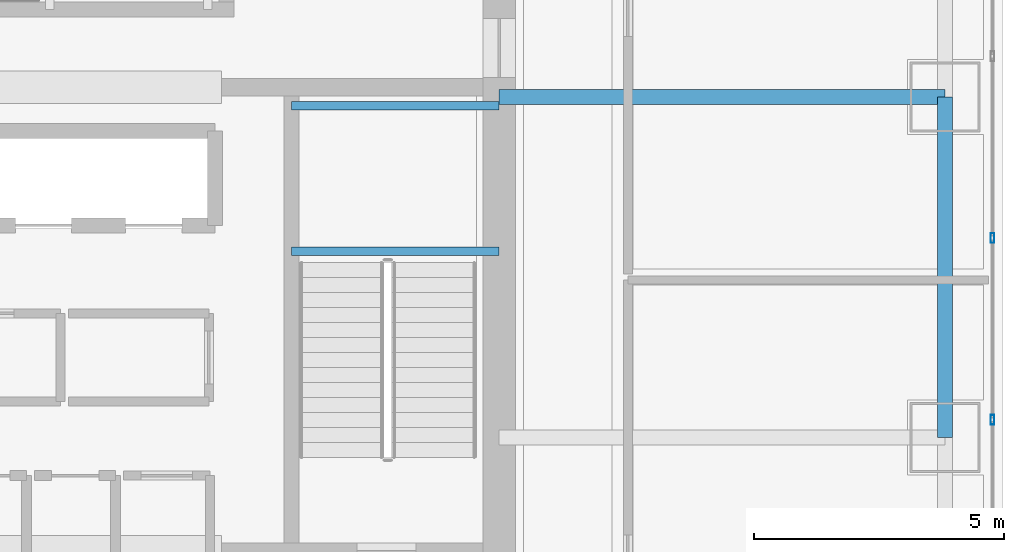
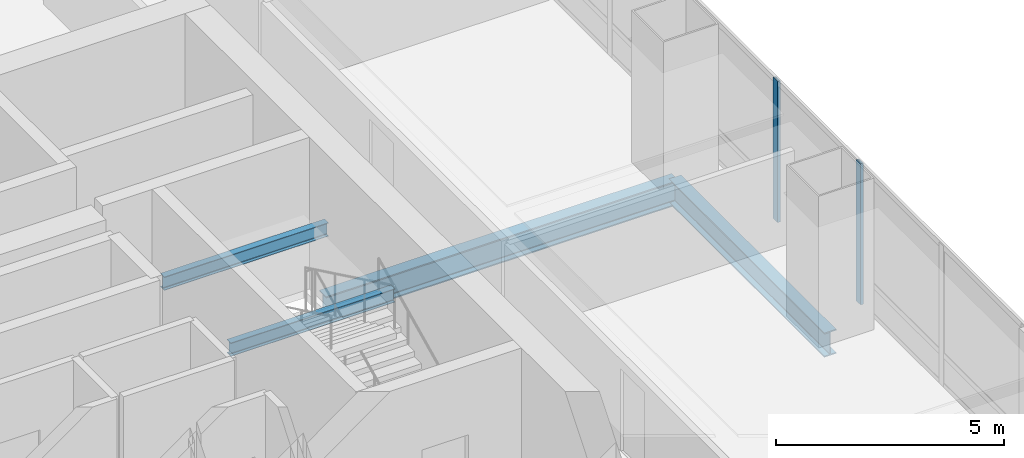
# One storey, part 17 of 47: 4 beams, 2 members, 1 element without a shape of its own.
"""IFC4 building model written with IfcOpenShell, lengths in metres."""

import ifcopenshell
import ifcopenshell.guid

model = None  # the IFC model being written
_history = None  # IfcOwnerHistory: only IFC2X3 demands one
_inside = {}  # id of a spatial element -> (the spatial element, [elements in it])
_under = {}  # id of a project, library or spatial element -> (it, [spatial elements below it])
_declared = {}  # id of a project -> (the project, [libraries it declares])
_typed = {}  # id of a type object -> (the type object, [elements of that type])
_made_of = {}  # id of a material, layer set ... -> (it, [elements and type objects made of it])


def new_model(schema):
    """Start an empty IFC model of exactly this schema.

    Asked for "IFC4X3", IfcOpenShell would pick the latest addendum, in which some entities
    have other attributes; the version numbers below select the first issue.
    IFC2X3 requires an IfcOwnerHistory on every rooted entity: one is made here for all.
    """
    global model, _history
    if schema == "IFC4X3":
        model = ifcopenshell.file(schema_version=(4, 3, 0, 0))
    else:
        model = ifcopenshell.file(schema=schema)
    _inside.clear()
    _under.clear()
    _declared.clear()
    _typed.clear()
    _made_of.clear()
    _history = None
    if model.schema == "IFC2X3":
        org = make("IfcOrganization", Name="unknown")
        user = make(
            "IfcPersonAndOrganization",
            ThePerson=make("IfcPerson", FamilyName="unknown"),
            TheOrganization=org,
        )
        app = make(
            "IfcApplication",
            ApplicationDeveloper=org,
            Version="unknown",
            ApplicationFullName="unknown",
            ApplicationIdentifier="unknown",
        )
        _history = make(
            "IfcOwnerHistory",
            OwningUser=user,
            OwningApplication=app,
            ChangeAction="ADDED",
            CreationDate=0,
        )
    return model


def make(cls, **values):
    """One entity of the class cls with the attributes given. An attribute that is None is left unset."""
    return model.create_entity(
        cls, **{name: value for name, value in values.items() if value is not None}
    )


def rooted(cls, **values):
    """An entity with a GlobalId (a new one), such as an element, a storey or a relation."""
    return make(cls, GlobalId=ifcopenshell.guid.new(), OwnerHistory=_history, **values)


def si_unit(unit_type, name, prefix=None):
    """IfcSIUnit, for example si_unit("LENGTHUNIT", "METRE", prefix="MILLI")."""
    return make("IfcSIUnit", UnitType=unit_type, Prefix=prefix, Name=name)


def assignment(units):
    """IfcUnitAssignment: the units of a project."""
    return None if units is None else make("IfcUnitAssignment", Units=units)


def point(xyz):
    """IfcCartesianPoint."""
    return None if xyz is None else make("IfcCartesianPoint", Coordinates=xyz)


def direction(xyz):
    """IfcDirection."""
    return None if xyz is None else make("IfcDirection", DirectionRatios=xyz)


def frame(location, z_axis=None, x_axis=None):
    """IfcAxis2Placement3D, a coordinate frame: its origin and axes. An axis left out is left unset."""
    return make(
        "IfcAxis2Placement3D",
        Location=point(location),
        Axis=direction(z_axis),
        RefDirection=direction(x_axis),
    )


def frame_2d(location, x_axis=None):
    """IfcAxis2Placement2D, a coordinate frame in the plane: its origin and x axis."""
    return make(
        "IfcAxis2Placement2D", Location=point(location), RefDirection=direction(x_axis)
    )


def origin():
    """The frame at (0, 0, 0) with its axes left unset."""
    return frame((0.0, 0.0, 0.0))


def origin_2d():
    """The frame at (0, 0) in the plane with its x axis left unset."""
    return frame_2d((0.0, 0.0))


def place(relative_to, where):
    """IfcLocalPlacement: puts the frame where relative to a parent placement (None: the world)."""
    return make(
        "IfcLocalPlacement", PlacementRelTo=relative_to, RelativePlacement=where
    )


def context(
    kind, dimensions, precision=None, world=None, true_north=None, identifier=None
):
    """IfcGeometricRepresentationContext, for example the 3D "Model" context."""
    return make(
        "IfcGeometricRepresentationContext",
        ContextIdentifier=identifier,
        ContextType=kind,
        CoordinateSpaceDimension=dimensions,
        Precision=precision,
        WorldCoordinateSystem=world,
        TrueNorth=true_north,
    )


def subcontext(parent, identifier, kind, view, scale=None):
    """IfcGeometricRepresentationSubContext, for example "Body" below "Model"."""
    return make(
        "IfcGeometricRepresentationSubContext",
        ContextIdentifier=identifier,
        ContextType=kind,
        ParentContext=parent,
        TargetScale=scale,
        TargetView=view,
    )


def project(units=None, contexts=None):
    """IfcProject with its units and contexts."""
    return rooted(
        "IfcProject",
        Name="project",
        RepresentationContexts=contexts,
        UnitsInContext=assignment(units),
    )


def spatial(cls, under=None, at=None, **own):
    """A site, building, storey or space (cls), placed at a placement, below another one or the project."""
    s = rooted(cls, ObjectPlacement=at, **own)
    if under is not None:
        _under.setdefault(under.id(), (under, []))[1].append(s)
    return s


def profile(cls, at=None, kind="AREA", **sizes):
    """A parametric profile (cls). Its sizes go by their IFC names, for example OverallWidth=200.0."""
    return make(cls, ProfileType=kind, Position=at, **sizes)


def hollow_rectangle(**sizes):
    """IfcRectangleHollowProfileDef."""
    return profile("IfcRectangleHollowProfileDef", **sizes)


def i_section(**sizes):
    """IfcIShapeProfileDef."""
    return profile("IfcIShapeProfileDef", **sizes)


def extrude(swept, where, along, depth):
    """IfcExtrudedAreaSolid: the profile swept, set in the frame where, extruded along a direction by depth."""
    return make(
        "IfcExtrudedAreaSolid",
        SweptArea=swept,
        Position=where,
        ExtrudedDirection=direction(along),
        Depth=depth,
    )


def shape(context_of_items, identifier, shape_type, items):
    """IfcShapeRepresentation: the items that make up one representation, for example the "Body"."""
    return make(
        "IfcShapeRepresentation",
        ContextOfItems=context_of_items,
        RepresentationIdentifier=identifier,
        RepresentationType=shape_type,
        Items=items,
    )


def material(Name=None, Category=None):
    """IfcMaterial."""
    return make("IfcMaterial", Name=Name, Category=Category)


def material_profile(
    of_material, cross_section, Name=None, Category=None, Priority=None
):
    """IfcMaterialProfile: a cross section and its material."""
    return make(
        "IfcMaterialProfile",
        Name=Name,
        Material=of_material,
        Profile=cross_section,
        Priority=Priority,
        Category=Category,
    )


def profile_set(profiles, Name=None, composite=None):
    """IfcMaterialProfileSet."""
    return make(
        "IfcMaterialProfileSet",
        Name=Name,
        MaterialProfiles=profiles,
        CompositeProfile=composite,
    )


def made_of(thing, what):
    """Note that an element or type object is made of a material, layer set ...; save() writes the relation."""
    if what is not None:
        _made_of.setdefault(what.id(), (what, []))[1].append(thing)
    return thing


def type_object(cls, material=None, **own):
    """A type object (cls), such as IfcWallType, which elements share."""
    return made_of(rooted(cls, **own), material)


def element(
    cls,
    number,
    at=None,
    inside=None,
    cuts=None,
    type_object=None,
    material=None,
    context=None,
    identifier="Body",
    shape_type=None,
    held_by="IfcProductDefinitionShape",
    body=None,
    shapes=None,
    **own,
):
    """One element of the class cls, such as IfcWall. Its Tag is "e" and its number.

    at: its placement. inside: the storey or other place that contains it. cuts: it is an
    opening in that element (IfcRelVoidsElement). A single representation is given by context,
    identifier, shape_type and body (its items); several are given by shapes. held_by: the class
    of the entity that holds the representations. save() writes the other relations.
    """
    e = rooted(cls, Tag="e%d" % number, ObjectPlacement=at, **own)
    if body is not None:
        shapes = [shape(context, identifier, shape_type, body)]
    if shapes is not None:
        e.Representation = make(held_by, Representations=shapes)
    if inside is not None:
        _inside.setdefault(inside.id(), (inside, []))[1].append(e)
    if cuts is not None:
        rooted(
            "IfcRelVoidsElement", RelatingBuildingElement=cuts, RelatedOpeningElement=e
        )
    if type_object is not None:
        _typed.setdefault(type_object.id(), (type_object, []))[1].append(e)
    return made_of(e, material)


def aggregate(whole, parts):
    """IfcRelAggregates: a whole, such as a stair, and the parts it consists of."""
    return rooted("IfcRelAggregates", RelatingObject=whole, RelatedObjects=parts)


def save(model, path):
    """Write the relations noted so far, then the file.

    IfcRelAggregates (storeys below a building ...), IfcRelContainedInSpatialStructure (elements
    in a storey), IfcRelDefinesByType, IfcRelAssociatesMaterial and IfcRelDeclares: one each for
    every whole, place, type object, material and project.
    """
    for whole, parts in _under.values():
        aggregate(whole, parts)
    for where, things in _inside.values():
        rooted(
            "IfcRelContainedInSpatialStructure",
            RelatedElements=things,
            RelatingStructure=where,
        )
    for kind, things in _typed.values():
        rooted("IfcRelDefinesByType", RelatedObjects=things, RelatingType=kind)
    for what, things in _made_of.values():
        rooted("IfcRelAssociatesMaterial", RelatedObjects=things, RelatingMaterial=what)
    for by, libraries in _declared.values():
        rooted("IfcRelDeclares", RelatingContext=by, RelatedDefinitions=libraries)
    model.write(path)


model = new_model("IFC4")

# Units and contexts
model_context = context("Model", 3, precision=1e-05, world=origin(), true_north=direction((0.0, 1.0)))
body_context = subcontext(model_context, "Body", "Model", "MODEL_VIEW")
ifc_project = project(units=[si_unit("LENGTHUNIT", "METRE"), si_unit("AREAUNIT", "SQUARE_METRE"), si_unit("VOLUMEUNIT", "CUBIC_METRE"), si_unit("PLANEANGLEUNIT", "RADIAN"), si_unit("MASSUNIT", "GRAM", prefix="KILO")], contexts=[model_context])

# Site, building, storey
site_placement = place(None, origin())
site = spatial("IfcSite", under=ifc_project, at=site_placement, CompositionType="ELEMENT")
building_placement = place(site_placement, origin())
building = spatial("IfcBuilding", under=site, at=building_placement, Name="Punatoya Terracotta Tower", CompositionType="ELEMENT")
storey_placement = place(building_placement, frame((0.0, 0.0, 168.14990234375)))
storey = spatial("IfcBuildingStorey", under=building, at=storey_placement, Name="L39", CompositionType="ELEMENT", Elevation=168.14990234375)

# Beams
ifc_material_1 = material(Name="Steel S355", Category="steel")
ifc_material_profile_1 = material_profile(ifc_material_1, i_section(OverallWidth=0.300048828125, OverallDepth=0.64990234375, WebThickness=0.01611328125, FlangeThickness=0.031005859375, FilletRadius=0.01806640625, at=origin_2d()))
ifc_profile_set_1 = profile_set([ifc_material_profile_1], Name="Steel S355")
beam_type_1 = type_object("IfcBeamType", Name="BM-PRI-650", PredefinedType="BEAM", material=ifc_profile_set_1)
beam_1_placement = place(storey_placement, frame((19.10009765625, -3.39990234375, -0.544921875), z_axis=(0.0, 1.0, 0.0), x_axis=(-1.0, 0.0, 0.0)))
element("IfcBeam", 1, at=beam_1_placement, inside=storey, type_object=beam_type_1, Name="BM-L39-RG-E2", PredefinedType="BEAM", context=body_context, shape_type="SweptSolid", body=[
    extrude(i_section(OverallWidth=0.300048828125, OverallDepth=0.64990234375, WebThickness=0.01611328125, FlangeThickness=0.031005859375, FilletRadius=0.01806640625, at=origin_2d()), origin(), (0.0, 0.0, 1.0), 6.7998046875),
])
beam_2_placement = place(storey_placement, frame((10.199951171875, 3.39990234375, -0.544921875), z_axis=(1.0, 0.0, 0.0), x_axis=(0.0, 1.0, 0.0)))
element("IfcBeam", 2, at=beam_2_placement, inside=storey, type_object=beam_type_1, Name="BM-L39-PR-EE", PredefinedType="BEAM", context=body_context, shape_type="SweptSolid", body=[
    extrude(i_section(OverallWidth=0.300048828125, OverallDepth=0.64990234375, WebThickness=0.01611328125, FlangeThickness=0.031005859375, FilletRadius=0.01806640625, at=origin_2d()), origin(), (0.0, 0.0, 1.0), 8.900146484375),
])
ifc_material_profile_2 = material_profile(ifc_material_1, i_section(OverallWidth=0.169921875, OverallDepth=0.360107421875, WebThickness=0.008056640625, FlangeThickness=0.0126953125, FilletRadius=0.01806640625, at=origin_2d()))
ifc_profile_set_2 = profile_set([ifc_material_profile_2], Name="Steel S355")
beam_type_2 = type_object("IfcBeamType", Name="BM-SEC-360", PredefinedType="JOIST", material=ifc_profile_set_2)
for number, where, z_axis, x_axis, name in (
    (3, (6.050048828125, 0.320068359375, 1.64501953125), (1.0, 0.0, 0.0), (0.0, 1.0, 0.0), "BM-L39-ST-2-LD1A"),
    (4, (6.050048828125, 3.22998046875, 1.64501953125), (1.0, 0.0, 0.0), (0.0, 1.0, 0.0), "BM-L39-ST-2-LD1B"),
):
    element("IfcBeam", number, at=place(storey_placement, frame(where, z_axis=z_axis, x_axis=x_axis)), inside=storey, type_object=beam_type_2, Name=name, PredefinedType="JOIST", context=body_context, shape_type="SweptSolid", body=[
        extrude(i_section(OverallWidth=0.169921875, OverallDepth=0.360107421875, WebThickness=0.008056640625, FlangeThickness=0.0126953125, FilletRadius=0.01806640625, at=origin_2d()), origin(), (0.0, 0.0, 1.0), 4.14990234375),
    ])

# Curtain wall, members
ifc_material_2 = material(Name="Aluminium 6063-T6 + Double Low-E Glass", Category="aluminium")
curtain_wall_type = type_object("IfcCurtainWallType", Name="CW-M2", PredefinedType="NOTDEFINED", material=ifc_material_2)
curtain_wall_placement = place(storey_placement, origin())
curtain_wall = element("IfcCurtainWall", 5, at=curtain_wall_placement, inside=storey, type_object=curtain_wall_type, Name="L39 Curtain Wall CW-L39-E05-1", PredefinedType="NOTDEFINED")
ifc_material_3 = material(Name="Aluminium 6063-T6", Category="aluminium")
ifc_material_profile_3 = material_profile(ifc_material_3, hollow_rectangle(XDim=0.072021484375, YDim=0.195068359375, WallThickness=0.00439453125, at=origin_2d()))
ifc_profile_set_3 = profile_set([ifc_material_profile_3], Name="Aluminium 6063-T6")
member_type = type_object("IfcMemberType", Name="CW-MUL-M2", PredefinedType="MULLION", material=ifc_profile_set_3)
member_1_placement = place(storey_placement, frame((20.050048828125, -3.04296875, 0.0), z_axis=(0.0, 0.0, 1.0), x_axis=(1.0, 0.0, 0.0)))
member_1 = element("IfcMember", 6, at=member_1_placement, type_object=member_type, Name="CW-L39-E05-1 Mullion 02", PredefinedType="MULLION", context=body_context, shape_type="SweptSolid", body=[
    extrude(hollow_rectangle(XDim=0.072021484375, YDim=0.195068359375, WallThickness=0.00439453125, at=origin_2d()), origin(), (0.0, 0.0, 1.0), 3.77001953125),
])
member_2_placement = place(storey_placement, frame((20.050048828125, 0.585693359375, 0.0), z_axis=(0.0, 0.0, 1.0), x_axis=(1.0, 0.0, 0.0)))
member_2 = element("IfcMember", 7, at=member_2_placement, type_object=member_type, Name="CW-L39-E05-1 Mullion 03", PredefinedType="MULLION", context=body_context, shape_type="SweptSolid", body=[
    extrude(hollow_rectangle(XDim=0.072021484375, YDim=0.195068359375, WallThickness=0.00439453125, at=origin_2d()), origin(), (0.0, 0.0, 1.0), 3.77001953125),
])
aggregate(curtain_wall, [member_1, member_2])

save(model, "model.ifc")
